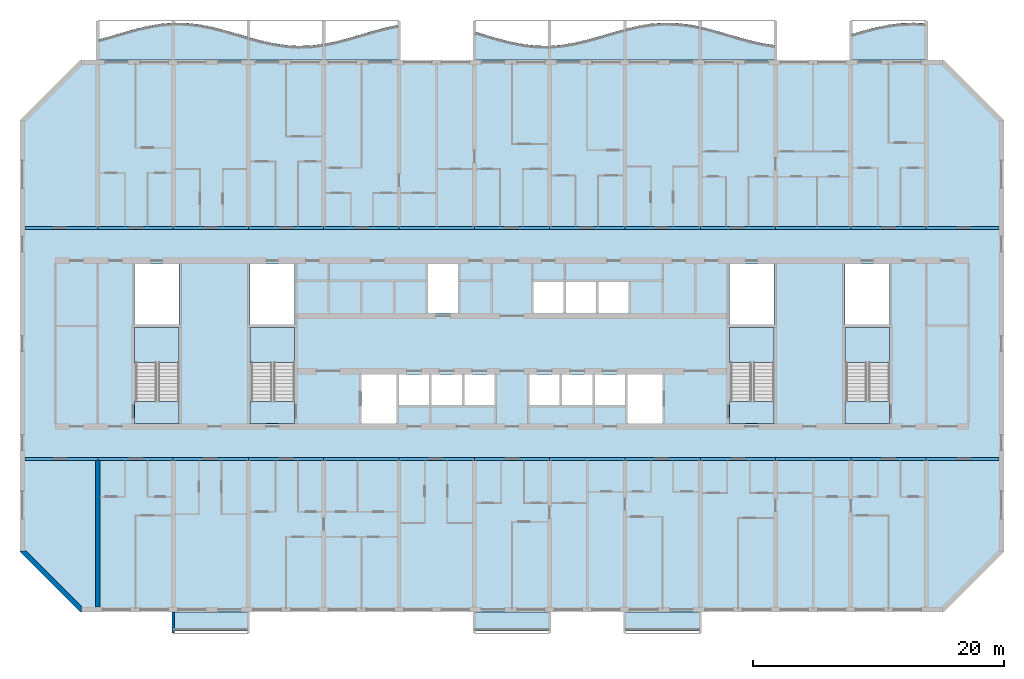
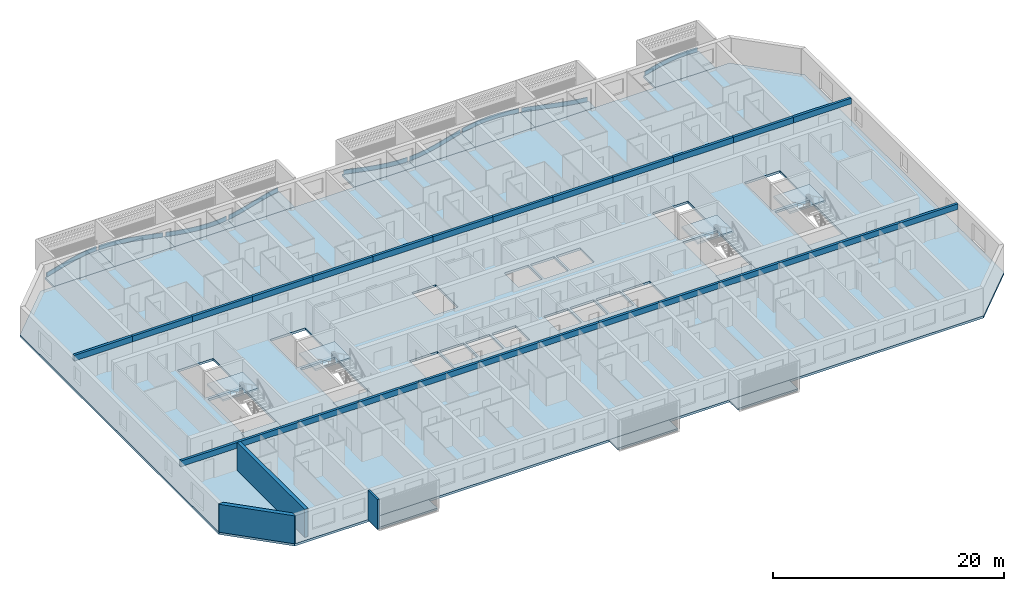
# One storey, part 1 of 24: 26 beams, 21 slabs, 9 plates, 3 walls, 4 elements without a shape of their own.
"""IFC4 building model written with IfcOpenShell, lengths in metres."""

from ifc_helpers import new_model, si_unit, direction, frame, frame_2d, origin, origin_2d, place, context, subcontext, project, spatial, polyline, rectangle, outline, extrude, source, transform, mapped, material, layer, layer_set, material_profile, profile_set, type_object, element, aggregate, save


model = new_model("IFC4")

# Units and contexts
model_context = context("Model", 3, precision=1e-05, world=origin(), true_north=direction((0.0, 1.0)))
body_context = subcontext(model_context, "Body", "Model", "MODEL_VIEW")
ifc_project = project(units=[si_unit("LENGTHUNIT", "METRE"), si_unit("AREAUNIT", "SQUARE_METRE"), si_unit("VOLUMEUNIT", "CUBIC_METRE"), si_unit("PLANEANGLEUNIT", "RADIAN"), si_unit("MASSUNIT", "GRAM", prefix="KILO")], contexts=[model_context])

# Site, building, storey
site_placement = place(None, origin())
site = spatial("IfcSite", under=ifc_project, at=site_placement, CompositionType="ELEMENT")
building_placement = place(site_placement, origin())
building = spatial("IfcBuilding", under=site, at=building_placement, Name="Poui Terraces", CompositionType="ELEMENT")
storey_placement = place(building_placement, frame((0.0, 0.0, 112.5)))
storey = spatial("IfcBuildingStorey", under=building, at=storey_placement, Name="L31", CompositionType="ELEMENT", Elevation=112.5)

# Beams
ifc_material_1 = material(Name="Concrete 65 MPa", Category="concrete")
ifc_material_profile = material_profile(ifc_material_1, rectangle(XDim=0.25, YDim=0.60009765625, at=origin_2d()), Name="RC 250x600")
ifc_profile_set = profile_set([ifc_material_profile], Name="Concrete 65 MPa")
beam_type = type_object("IfcBeamType", Name="COUPLING BEAM 250x600 65MPa", PredefinedType="BEAM", material=ifc_profile_set)
shared_shape_1 = source(origin(), body_context, "Body", "SweptSolid", [
    extrude(rectangle(XDim=0.25, YDim=0.60009765625, at=origin_2d()), origin(), (0.0, 0.0, 1.0), 5.800048828125),
])
for number, where, z_axis, x_axis, name in (
    (1, (12.199951171875, 12.0, 2.64990234375), (1.0, 0.0, 0.0), (0.0, 1.0, 0.0), "COUPLING BEAM LINE B BAY 1"),
    (2, (84.0, 12.0, 2.64990234375), (1.0, 0.0, 0.0), (0.0, 1.0, 0.0), "COUPLING BEAM LINE B BAY 13"),
    (3, (12.199951171875, 30.39990234375, 2.64990234375), (1.0, 0.0, 0.0), (0.0, 1.0, 0.0), "COUPLING BEAM LINE E BAY 1"),
    (4, (84.0, 30.39990234375, 2.64990234375), (1.0, 0.0, 0.0), (0.0, 1.0, 0.0), "COUPLING BEAM LINE E BAY 13"),
):
    element("IfcBeam", number, at=place(storey_placement, frame(where, z_axis=z_axis, x_axis=x_axis)), inside=storey, type_object=beam_type, Name=name, PredefinedType="BEAM", context=body_context, shape_type="MappedRepresentation", body=[
        mapped(shared_shape_1, transform((0.0, 0.0, 0.0))),
    ])
shared_shape_2 = source(origin(), body_context, "Body", "SweptSolid", [
    extrude(rectangle(XDim=0.25, YDim=0.60009765625, at=origin_2d()), origin(), (0.0, 0.0, 1.0), 6.0),
])
for number, where, z_axis, x_axis, name in (
    (5, (18.0, 12.0, 2.64990234375), (1.0, 0.0, 0.0), (0.0, 1.0, 0.0), "COUPLING BEAM LINE B BAY 2"),
    (6, (24.0, 12.0, 2.64990234375), (1.0, 0.0, 0.0), (0.0, 1.0, 0.0), "COUPLING BEAM LINE B BAY 3"),
    (7, (30.0, 12.0, 2.64990234375), (1.0, 0.0, 0.0), (0.0, 1.0, 0.0), "COUPLING BEAM LINE B BAY 4"),
    (8, (36.0, 12.0, 2.64990234375), (1.0, 0.0, 0.0), (0.0, 1.0, 0.0), "COUPLING BEAM LINE B BAY 5"),
    (9, (42.0, 12.0, 2.64990234375), (1.0, 0.0, 0.0), (0.0, 1.0, 0.0), "COUPLING BEAM LINE B BAY 6"),
    (10, (48.0, 12.0, 2.64990234375), (1.0, 0.0, 0.0), (0.0, 1.0, 0.0), "COUPLING BEAM LINE B BAY 7"),
    (11, (54.0, 12.0, 2.64990234375), (1.0, 0.0, 0.0), (0.0, 1.0, 0.0), "COUPLING BEAM LINE B BAY 8"),
    (12, (60.0, 12.0, 2.64990234375), (1.0, 0.0, 0.0), (0.0, 1.0, 0.0), "COUPLING BEAM LINE B BAY 9"),
    (13, (66.0, 12.0, 2.64990234375), (1.0, 0.0, 0.0), (0.0, 1.0, 0.0), "COUPLING BEAM LINE B BAY 10"),
    (14, (72.0, 12.0, 2.64990234375), (1.0, 0.0, 0.0), (0.0, 1.0, 0.0), "COUPLING BEAM LINE B BAY 11"),
    (15, (78.0, 12.0, 2.64990234375), (1.0, 0.0, 0.0), (0.0, 1.0, 0.0), "COUPLING BEAM LINE B BAY 12"),
    (16, (18.0, 30.39990234375, 2.64990234375), (1.0, 0.0, 0.0), (0.0, 1.0, 0.0), "COUPLING BEAM LINE E BAY 2"),
    (17, (24.0, 30.39990234375, 2.64990234375), (1.0, 0.0, 0.0), (0.0, 1.0, 0.0), "COUPLING BEAM LINE E BAY 3"),
    (18, (30.0, 30.39990234375, 2.64990234375), (1.0, 0.0, 0.0), (0.0, 1.0, 0.0), "COUPLING BEAM LINE E BAY 4"),
    (19, (36.0, 30.39990234375, 2.64990234375), (1.0, 0.0, 0.0), (0.0, 1.0, 0.0), "COUPLING BEAM LINE E BAY 5"),
    (20, (42.0, 30.39990234375, 2.64990234375), (1.0, 0.0, 0.0), (0.0, 1.0, 0.0), "COUPLING BEAM LINE E BAY 6"),
    (21, (48.0, 30.39990234375, 2.64990234375), (1.0, 0.0, 0.0), (0.0, 1.0, 0.0), "COUPLING BEAM LINE E BAY 7"),
    (22, (54.0, 30.39990234375, 2.64990234375), (1.0, 0.0, 0.0), (0.0, 1.0, 0.0), "COUPLING BEAM LINE E BAY 8"),
    (23, (60.0, 30.39990234375, 2.64990234375), (1.0, 0.0, 0.0), (0.0, 1.0, 0.0), "COUPLING BEAM LINE E BAY 9"),
    (24, (66.0, 30.39990234375, 2.64990234375), (1.0, 0.0, 0.0), (0.0, 1.0, 0.0), "COUPLING BEAM LINE E BAY 10"),
    (25, (72.0, 30.39990234375, 2.64990234375), (1.0, 0.0, 0.0), (0.0, 1.0, 0.0), "COUPLING BEAM LINE E BAY 11"),
    (26, (78.0, 30.39990234375, 2.64990234375), (1.0, 0.0, 0.0), (0.0, 1.0, 0.0), "COUPLING BEAM LINE E BAY 12"),
):
    element("IfcBeam", number, at=place(storey_placement, frame(where, z_axis=z_axis, x_axis=x_axis)), inside=storey, type_object=beam_type, Name=name, PredefinedType="BEAM", context=body_context, shape_type="MappedRepresentation", body=[
        mapped(shared_shape_2, transform((0.0, 0.0, 0.0))),
    ])

# Slabs
ifc_material_2 = material(Name="Precast concrete 40 MPa", Category="concrete")
ifc_layer_1 = layer(ifc_material_2, 0.199951171875)
ifc_layer_set_1 = layer_set([ifc_layer_1], Name="Precast concrete 40 MPa")
slab_type_1 = type_object("IfcSlabType", Name="BALCONY SLAB 200", PredefinedType="FLOOR", material=ifc_layer_set_1)
slab_1_placement = place(storey_placement, frame((0.0, 0.0, -0.2001953125)))
element("IfcSlab", 27, at=slab_1_placement, inside=storey, type_object=slab_type_1, Name="BALCONY SLAB", PredefinedType="FLOOR", context=body_context, shape_type="SweptSolid", body=[
    extrude(outline(polyline([(18.0, 43.800048828125), (24.0, 43.800048828125), (24.0, 46.743408203125), (23.0, 46.66064453125), (22.0, 46.4921875), (21.0, 46.2548828125), (20.0, 45.973388671875), (19.0, 45.676513671875), (18.0, 45.39501953125), (18.0, 43.800048828125)])), origin(), (0.0, 0.0, 1.0), 0.2001953125),
])
slab_2_placement = place(storey_placement, frame((0.0, 0.0, -0.2001953125)))
element("IfcSlab", 28, at=slab_2_placement, inside=storey, type_object=slab_type_1, Name="BALCONY SLAB", PredefinedType="FLOOR", context=body_context, shape_type="SweptSolid", body=[
    extrude(outline(polyline([(24.0, 43.800048828125), (30.0, 43.800048828125), (30.0, 45.603515625), (29.0, 45.8994140625), (28.0, 46.1875), (27.0, 46.4384765625), (26.0, 46.626220703125), (25.0, 46.731201171875), (24.0, 46.743408203125), (24.0, 43.800048828125)])), origin(), (0.0, 0.0, 1.0), 0.2001953125),
])
slab_3_placement = place(storey_placement, frame((0.0, 0.0, -0.2001953125)))
element("IfcSlab", 29, at=slab_3_placement, inside=storey, type_object=slab_type_1, Name="BALCONY SLAB", PredefinedType="FLOOR", context=body_context, shape_type="SweptSolid", body=[
    extrude(outline(polyline([(30.0, 43.800048828125), (36.0, 43.800048828125), (36.0, 45.063720703125), (35.0, 44.9365234375), (34.0, 44.90087890625), (33.0, 44.960205078125), (32.0, 45.1083984375), (31.0, 45.33056640625), (30.0, 45.603515625), (30.0, 43.800048828125)])), origin(), (0.0, 0.0, 1.0), 0.2001953125),
])
slab_4_placement = place(storey_placement, frame((0.0, 0.0, -0.2001953125)))
element("IfcSlab", 30, at=slab_4_placement, inside=storey, type_object=slab_type_1, Name="BALCONY SLAB", PredefinedType="FLOOR", context=body_context, shape_type="SweptSolid", body=[
    extrude(outline(polyline([(36.0, 43.800048828125), (42.0, 43.800048828125), (42.0, 46.586181640625), (41.0, 46.380615234375), (40.0, 46.117919921875), (39.0, 45.824951171875), (38.0, 45.531982421875), (37.0, 45.269287109375), (36.0, 45.063720703125), (36.0, 43.800048828125)])), origin(), (0.0, 0.0, 1.0), 0.2001953125),
])
slab_5_placement = place(storey_placement, frame((0.0, 0.0, -0.2001953125)))
element("IfcSlab", 31, at=slab_5_placement, inside=storey, type_object=slab_type_1, Name="BALCONY SLAB", PredefinedType="FLOOR", context=body_context, shape_type="SweptSolid", body=[
    extrude(outline(polyline([(48.0, 43.800048828125), (54.0, 43.800048828125), (54.0, 44.90673828125), (53.0, 44.918701171875), (52.0, 45.02392578125), (51.0, 45.211669921875), (50.0, 45.46240234375), (49.0, 45.75048828125), (48.0, 46.04638671875), (48.0, 43.800048828125)])), origin(), (0.0, 0.0, 1.0), 0.2001953125),
])
slab_6_placement = place(storey_placement, frame((0.0, 0.0, -0.2001953125)))
element("IfcSlab", 32, at=slab_6_placement, inside=storey, type_object=slab_type_1, Name="BALCONY SLAB", PredefinedType="FLOOR", context=body_context, shape_type="SweptSolid", body=[
    extrude(outline(polyline([(54.0, 43.800048828125), (60.0, 43.800048828125), (60.0, 46.2548828125), (59.0, 45.973388671875), (58.0, 45.676513671875), (57.0, 45.39501953125), (56.0, 45.157958984375), (55.0, 44.9892578125), (54.0, 44.90673828125), (54.0, 43.800048828125)])), origin(), (0.0, 0.0, 1.0), 0.2001953125),
])
slab_7_placement = place(storey_placement, frame((0.0, 0.0, -0.2001953125)))
element("IfcSlab", 33, at=slab_7_placement, inside=storey, type_object=slab_type_1, Name="BALCONY SLAB", PredefinedType="FLOOR", context=body_context, shape_type="SweptSolid", body=[
    extrude(outline(polyline([(60.0, 43.800048828125), (66.0, 43.800048828125), (66.0, 46.4384765625), (65.0, 46.626220703125), (64.0, 46.731201171875), (63.0, 46.743408203125), (62.0, 46.66064453125), (61.0, 46.4921875), (60.0, 46.2548828125), (60.0, 43.800048828125)])), origin(), (0.0, 0.0, 1.0), 0.2001953125),
])
slab_8_placement = place(storey_placement, frame((0.0, 0.0, -0.2001953125)))
element("IfcSlab", 34, at=slab_8_placement, inside=storey, type_object=slab_type_1, Name="BALCONY SLAB", PredefinedType="FLOOR", context=body_context, shape_type="SweptSolid", body=[
    extrude(outline(polyline([(66.0, 43.800048828125), (72.0, 43.800048828125), (72.0, 44.960205078125), (71.0, 45.1083984375), (70.0, 45.33056640625), (69.0, 45.603515625), (68.0, 45.8994140625), (67.0, 46.1875), (66.0, 46.4384765625), (66.0, 43.800048828125)])), origin(), (0.0, 0.0, 1.0), 0.2001953125),
])
slab_9_placement = place(storey_placement, frame((0.0, 0.0, -0.2001953125)))
element("IfcSlab", 35, at=slab_9_placement, inside=storey, type_object=slab_type_1, Name="BALCONY SLAB", PredefinedType="FLOOR", context=body_context, shape_type="SweptSolid", body=[
    extrude(outline(polyline([(78.0, 43.800048828125), (84.0, 43.800048828125), (84.0, 46.68994140625), (83.0, 46.749267578125), (82.0, 46.71337890625), (81.0, 46.586181640625), (80.0, 46.380615234375), (79.0, 46.117919921875), (78.0, 45.824951171875), (78.0, 43.800048828125)])), origin(), (0.0, 0.0, 1.0), 0.2001953125),
])

# Stair, slabs
stair_type = type_object("IfcStairType", Name="EXIT STAIR 1650 65 MPA", PredefinedType="HALF_TURN_STAIR", material=ifc_material_1)
stair_1_placement = place(storey_placement, origin())
stair_1 = element("IfcStair", 36, at=stair_1_placement, inside=storey, type_object=stair_type, Name="L31 CORE STAIR EAST", PredefinedType="HALF_TURN_STAIR")
ifc_layer_2 = layer(ifc_material_1, 0.199951171875)
ifc_layer_set_2 = layer_set([ifc_layer_2], Name="Concrete 65 MPa")
slab_type_2 = type_object("IfcSlabType", Name="STAIR LANDING 200 65 MPA", PredefinedType="LANDING", material=ifc_layer_set_2)
slab_10_placement = place(storey_placement, frame((0.0, 0.0, 1.449951171875)))
slab_10 = element("IfcSlab", 37, at=slab_10_placement, type_object=slab_type_2, Name="ST-CE landing 1", PredefinedType="LANDING", context=body_context, shape_type="SweptSolid", body=[
    extrude(outline(polyline([(68.324951171875, 19.679931640625), (71.875, 19.679931640625), (71.875, 22.47509765625), (68.324951171875, 22.47509765625), (68.324951171875, 19.679931640625)])), origin(), (0.0, 0.0, 1.0), 0.199951171875),
])
slab_11_placement = place(storey_placement, frame((0.0, 0.0, -0.2001953125)))
slab_11 = element("IfcSlab", 38, at=slab_11_placement, type_object=slab_type_2, Name="ST-CE landing 2", PredefinedType="LANDING", context=body_context, shape_type="SweptSolid", body=[
    extrude(outline(polyline([(68.324951171875, 14.85009765625), (71.875, 14.85009765625), (71.875, 16.60009765625), (68.324951171875, 16.60009765625), (68.324951171875, 14.85009765625)])), origin(), (0.0, 0.0, 1.0), 0.2001953125),
])
aggregate(stair_1, [slab_10, slab_11])

stair_2_placement = place(storey_placement, origin())
stair_2 = element("IfcStair", 39, at=stair_2_placement, inside=storey, type_object=stair_type, Name="L31 CORE STAIR WEST", PredefinedType="HALF_TURN_STAIR")
slab_12_placement = place(storey_placement, frame((0.0, 0.0, 1.449951171875)))
slab_12 = element("IfcSlab", 40, at=slab_12_placement, type_object=slab_type_2, Name="ST-CW landing 1", PredefinedType="LANDING", context=body_context, shape_type="SweptSolid", body=[
    extrude(outline(polyline([(30.125, 19.679931640625), (33.675048828125, 19.679931640625), (33.675048828125, 22.47509765625), (30.125, 22.47509765625), (30.125, 19.679931640625)])), origin(), (0.0, 0.0, 1.0), 0.199951171875),
])
slab_13_placement = place(storey_placement, frame((0.0, 0.0, -0.2001953125)))
slab_13 = element("IfcSlab", 41, at=slab_13_placement, type_object=slab_type_2, Name="ST-CW landing 2", PredefinedType="LANDING", context=body_context, shape_type="SweptSolid", body=[
    extrude(outline(polyline([(30.125, 14.85009765625), (33.675048828125, 14.85009765625), (33.675048828125, 16.60009765625), (30.125, 16.60009765625), (30.125, 14.85009765625)])), origin(), (0.0, 0.0, 1.0), 0.2001953125),
])
aggregate(stair_2, [slab_12, slab_13])

stair_3_placement = place(storey_placement, origin())
stair_3 = element("IfcStair", 42, at=stair_3_placement, inside=storey, type_object=stair_type, Name="L31 TIP STAIR EAST", PredefinedType="HALF_TURN_STAIR")
slab_14_placement = place(storey_placement, frame((0.0, 0.0, 1.449951171875)))
slab_14 = element("IfcSlab", 43, at=slab_14_placement, type_object=slab_type_2, Name="ST-E landing 1", PredefinedType="LANDING", context=body_context, shape_type="SweptSolid", body=[
    extrude(outline(polyline([(77.52490234375, 19.679931640625), (81.074951171875, 19.679931640625), (81.074951171875, 22.47509765625), (77.52490234375, 22.47509765625), (77.52490234375, 19.679931640625)])), origin(), (0.0, 0.0, 1.0), 0.199951171875),
])
slab_15_placement = place(storey_placement, frame((0.0, 0.0, -0.2001953125)))
slab_15 = element("IfcSlab", 44, at=slab_15_placement, type_object=slab_type_2, Name="ST-E landing 2", PredefinedType="LANDING", context=body_context, shape_type="SweptSolid", body=[
    extrude(outline(polyline([(77.52490234375, 14.85009765625), (81.074951171875, 14.85009765625), (81.074951171875, 16.60009765625), (77.52490234375, 16.60009765625), (77.52490234375, 14.85009765625)])), origin(), (0.0, 0.0, 1.0), 0.2001953125),
])
aggregate(stair_3, [slab_14, slab_15])

stair_4_placement = place(storey_placement, origin())
stair_4 = element("IfcStair", 45, at=stair_4_placement, inside=storey, type_object=stair_type, Name="L31 TIP STAIR WEST", PredefinedType="HALF_TURN_STAIR")
slab_16_placement = place(storey_placement, frame((0.0, 0.0, 1.449951171875)))
slab_16 = element("IfcSlab", 46, at=slab_16_placement, type_object=slab_type_2, Name="ST-W landing 1", PredefinedType="LANDING", context=body_context, shape_type="SweptSolid", body=[
    extrude(outline(polyline([(20.925048828125, 19.679931640625), (24.47509765625, 19.679931640625), (24.47509765625, 22.47509765625), (20.925048828125, 22.47509765625), (20.925048828125, 19.679931640625)])), origin(), (0.0, 0.0, 1.0), 0.199951171875),
])
slab_17_placement = place(storey_placement, frame((0.0, 0.0, -0.2001953125)))
slab_17 = element("IfcSlab", 47, at=slab_17_placement, type_object=slab_type_2, Name="ST-W landing 2", PredefinedType="LANDING", context=body_context, shape_type="SweptSolid", body=[
    extrude(outline(polyline([(20.925048828125, 14.85009765625), (24.47509765625, 14.85009765625), (24.47509765625, 16.60009765625), (20.925048828125, 16.60009765625), (20.925048828125, 14.85009765625)])), origin(), (0.0, 0.0, 1.0), 0.2001953125),
])
aggregate(stair_4, [slab_16, slab_17])

# Plates
ifc_layer_3 = layer(ifc_material_2, 0.080078125)
ifc_layer_set_3 = layer_set([ifc_layer_3], Name="Precast concrete 40 MPa")
plate_type = type_object("IfcPlateType", Name="SUNSHADE UPSTAND 80", PredefinedType="SHEET", material=ifc_layer_set_3)
plate_1_placement = place(storey_placement, origin())
element("IfcPlate", 48, at=plate_1_placement, inside=storey, type_object=plate_type, Name="SUNSHADE UPSTAND", PredefinedType="SHEET", context=body_context, shape_type="SweptSolid", body=[
    extrude(outline(polyline([(18.989013671875, 45.669921875), (18.114013671875, 45.421875), (18.135986328125, 45.344970703125), (19.010986328125, 45.59326171875), (20.010986328125, 45.889892578125), (21.010009765625, 46.171142578125), (22.008056640625, 46.407958984375), (23.005126953125, 46.575927734375), (23.87841796875, 46.6533203125), (23.87158203125, 46.732666015625), (23.833251953125, 46.7294921875), (22.994873046875, 46.655517578125), (21.991943359375, 46.486328125), (20.989990234375, 46.24853515625), (19.989013671875, 45.966796875), (18.989013671875, 45.669921875)])), origin(), (0.0, 0.0, 1.0), 0.449951171875),
])
plate_2_placement = place(storey_placement, origin())
element("IfcPlate", 49, at=plate_2_placement, inside=storey, type_object=plate_type, Name="SUNSHADE UPSTAND", PredefinedType="SHEET", context=body_context, shape_type="SweptSolid", body=[
    extrude(outline(polyline([(25.00244140625, 46.726318359375), (24.166015625, 46.7412109375), (24.125732421875, 46.74169921875), (24.124267578125, 46.662109375), (24.99755859375, 46.646240234375), (25.994140625, 46.54150390625), (26.991455078125, 46.354248046875), (27.989501953125, 46.10400390625), (28.98876953125, 45.81591796875), (29.863525390625, 45.556640625), (29.886474609375, 45.63330078125), (29.01123046875, 45.892822265625), (28.010498046875, 46.18115234375), (27.008544921875, 46.4326171875), (26.005859375, 46.62060546875), (25.00244140625, 46.726318359375)])), origin(), (0.0, 0.0, 1.0), 0.449951171875),
])
plate_3_placement = place(storey_placement, origin())
element("IfcPlate", 50, at=plate_3_placement, inside=storey, type_object=plate_type, Name="SUNSHADE UPSTAND", PredefinedType="SHEET", context=body_context, shape_type="SweptSolid", body=[
    extrude(outline(polyline([(31.009521484375, 45.324462890625), (30.135498046875, 45.561279296875), (30.114501953125, 45.48388671875), (30.990478515625, 45.246826171875), (31.99267578125, 45.024169921875), (32.995849609375, 44.875244140625), (33.99951171875, 44.815673828125), (35.003173828125, 44.8515625), (35.8798828125, 44.95849609375), (35.8701171875, 45.037841796875), (34.996826171875, 44.931396484375), (34.00048828125, 44.895751953125), (33.004150390625, 44.954833984375), (32.00732421875, 45.102783203125), (31.009521484375, 45.324462890625)])), origin(), (0.0, 0.0, 1.0), 0.449951171875),
])
plate_4_placement = place(storey_placement, origin())
element("IfcPlate", 51, at=plate_4_placement, inside=storey, type_object=plate_type, Name="SUNSHADE UPSTAND", PredefinedType="SHEET", context=body_context, shape_type="SweptSolid", body=[
    extrude(outline(polyline([(36.99072265625, 45.26318359375), (36.11669921875, 45.07958984375), (36.13330078125, 45.00146484375), (37.00927734375, 45.185302734375), (38.0107421875, 45.448486328125), (39.01123046875, 45.74169921875), (40.0107421875, 46.034423828125), (41.00927734375, 46.296630859375), (41.88330078125, 46.480224609375), (41.86669921875, 46.55859375), (40.99072265625, 46.37451171875), (39.9892578125, 46.111572265625), (38.98876953125, 45.818359375), (37.9892578125, 45.525634765625), (36.99072265625, 45.26318359375)])), origin(), (0.0, 0.0, 1.0), 0.449951171875),
])
plate_5_placement = place(storey_placement, origin())
element("IfcPlate", 52, at=plate_5_placement, inside=storey, type_object=plate_type, Name="SUNSHADE UPSTAND", PredefinedType="SHEET", context=body_context, shape_type="SweptSolid", body=[
    extrude(outline(polyline([(49.01123046875, 45.743896484375), (48.136474609375, 46.00341796875), (48.113525390625, 45.9267578125), (48.98876953125, 45.667236328125), (49.989501953125, 45.37890625), (50.991455078125, 45.12744140625), (51.994140625, 44.939208984375), (52.99755859375, 44.833740234375), (53.874267578125, 44.818115234375), (53.875732421875, 44.89794921875), (53.00244140625, 44.913818359375), (52.005859375, 45.0185546875), (51.008544921875, 45.205810546875), (50.010498046875, 45.4560546875), (49.01123046875, 45.743896484375)])), origin(), (0.0, 0.0, 1.0), 0.449951171875),
])
plate_6_placement = place(storey_placement, origin())
element("IfcPlate", 53, at=plate_6_placement, inside=storey, type_object=plate_type, Name="SUNSHADE UPSTAND", PredefinedType="SHEET", context=body_context, shape_type="SweptSolid", body=[
    extrude(outline(polyline([(54.994873046875, 44.98388671875), (54.12158203125, 44.90673828125), (54.12841796875, 44.8271484375), (55.005126953125, 44.904541015625), (56.008056640625, 45.07373046875), (57.010009765625, 45.311279296875), (58.010986328125, 45.59326171875), (59.010986328125, 45.889892578125), (59.885986328125, 46.13818359375), (59.864013671875, 46.215087890625), (58.989013671875, 45.966796875), (57.989013671875, 45.669921875), (56.989990234375, 45.388916015625), (55.991943359375, 45.152099609375), (54.994873046875, 44.98388671875)])), origin(), (0.0, 0.0, 1.0), 0.449951171875),
])
plate_7_placement = place(storey_placement, origin())
element("IfcPlate", 54, at=plate_7_placement, inside=storey, type_object=plate_type, Name="SUNSHADE UPSTAND", PredefinedType="SHEET", context=body_context, shape_type="SweptSolid", body=[
    extrude(outline(polyline([(60.9921875, 46.486328125), (60.115966796875, 46.281494140625), (60.134033203125, 46.20361328125), (61.0078125, 46.407958984375), (62.0048828125, 46.575927734375), (63.00146484375, 46.658203125), (63.997802734375, 46.646240234375), (64.994384765625, 46.54150390625), (65.867919921875, 46.38134765625), (65.882080078125, 46.460205078125), (65.005615234375, 46.62060546875), (64.002197265625, 46.726318359375), (62.99853515625, 46.73828125), (61.9951171875, 46.655517578125), (60.9921875, 46.486328125)])), origin(), (0.0, 0.0, 1.0), 0.449951171875),
])
plate_8_placement = place(storey_placement, origin())
element("IfcPlate", 55, at=plate_8_placement, inside=storey, type_object=plate_type, Name="SUNSHADE UPSTAND", PredefinedType="SHEET", context=body_context, shape_type="SweptSolid", body=[
    extrude(outline(polyline([(67.010498046875, 46.18115234375), (66.135009765625, 46.40380859375), (66.114990234375, 46.326171875), (66.989501953125, 46.10400390625), (67.98876953125, 45.81591796875), (68.989013671875, 45.520263671875), (69.990478515625, 45.246826171875), (70.99267578125, 45.024169921875), (71.868896484375, 44.889404296875), (71.881103515625, 44.968505859375), (71.00732421875, 45.102783203125), (70.009521484375, 45.324462890625), (69.010986328125, 45.59716796875), (68.01123046875, 45.892822265625), (67.010498046875, 46.18115234375)])), origin(), (0.0, 0.0, 1.0), 0.449951171875),
])
plate_9_placement = place(storey_placement, origin())
element("IfcPlate", 56, at=plate_9_placement, inside=storey, type_object=plate_type, Name="SUNSHADE UPSTAND", PredefinedType="SHEET", context=body_context, shape_type="SweptSolid", body=[
    extrude(outline(polyline([(78.9892578125, 46.111572265625), (78.11376953125, 45.855712890625), (78.13623046875, 45.77880859375), (79.0107421875, 46.034423828125), (80.009033203125, 46.296630859375), (81.006591796875, 46.501708984375), (82.003173828125, 46.628662109375), (82.99951171875, 46.664306640625), (83.872802734375, 46.617431640625), (83.877197265625, 46.697265625), (83.850341796875, 46.69873046875), (83.00048828125, 46.744384765625), (81.996826171875, 46.70849609375), (80.993408203125, 46.580810546875), (79.990966796875, 46.37451171875), (78.9892578125, 46.111572265625)])), origin(), (0.0, 0.0, 1.0), 0.449951171875),
])

# Slabs
ifc_material_3 = material(Name="Concrete 40 MPa", Category="concrete")
ifc_layer_4 = layer(ifc_material_3, 0.239990234375)
ifc_layer_set_4 = layer_set([ifc_layer_4], Name="Concrete 40 MPa")
slab_type_3 = type_object("IfcSlabType", Name="FLOOR SLAB 240", PredefinedType="FLOOR", material=ifc_layer_set_4)
shared_shape_3 = source(origin(), body_context, "Body", "SweptSolid", [
    extrude(outline(polyline([(0.0, 0.0), (4.800048828125, -4.800048828125), (73.599853515625, -4.800048828125), (78.39990234375, 0.0), (78.39990234375, 34.39990234375), (73.599853515625, 39.199951171875), (4.800048828125, 39.199951171875), (0.0, 34.39990234375), (0.0, 0.0)]), holes=[polyline([(27.199951171875, 10.25), (27.199951171875, 14.14990234375), (30.0, 14.14990234375), (30.0, 10.25), (27.199951171875, 10.25)]), polyline([(30.199951171875, 11.699951171875), (30.199951171875, 14.14990234375), (32.599853515625, 14.14990234375), (32.599853515625, 11.699951171875), (30.199951171875, 11.699951171875)]), polyline([(32.800048828125, 11.699951171875), (32.800048828125, 14.14990234375), (35.199951171875, 14.14990234375), (35.199951171875, 11.699951171875), (32.800048828125, 11.699951171875)]), polyline([(35.39990234375, 14.14990234375), (37.800048828125, 14.14990234375), (37.800048828125, 11.699951171875), (35.39990234375, 11.699951171875), (35.39990234375, 14.14990234375)]), polyline([(40.599853515625, 14.14990234375), (43.0, 14.14990234375), (43.0, 11.699951171875), (40.599853515625, 11.699951171875), (40.599853515625, 14.14990234375)]), polyline([(9.224853515625, 17.849853515625), (12.675048828125, 17.849853515625), (12.675048828125, 12.0), (12.675048828125, 10.25), (9.125, 10.25), (9.125, 12.0), (9.224853515625, 12.0), (9.224853515625, 17.849853515625)]), polyline([(18.425048828125, 17.849853515625), (21.875, 17.849853515625), (21.875, 12.0), (21.875, 10.25), (18.324951171875, 10.25), (18.324951171875, 12.0), (18.425048828125, 12.0), (18.425048828125, 17.849853515625)]), polyline([(9.125, 18.125), (9.125, 22.949951171875), (12.675048828125, 22.949951171875), (12.675048828125, 18.125), (9.125, 18.125)]), polyline([(18.324951171875, 22.949951171875), (21.875, 22.949951171875), (21.875, 18.125), (18.324951171875, 18.125), (18.324951171875, 22.949951171875)]), polyline([(32.5, 22.949951171875), (34.89990234375, 22.949951171875), (34.89990234375, 19.0498046875), (32.5, 19.0498046875), (32.5, 22.949951171875)]), polyline([(48.39990234375, 10.25), (48.39990234375, 14.14990234375), (51.199951171875, 14.14990234375), (51.199951171875, 10.25), (48.39990234375, 10.25)]), polyline([(43.199951171875, 11.699951171875), (43.199951171875, 14.14990234375), (45.599853515625, 14.14990234375), (45.599853515625, 11.699951171875), (43.199951171875, 11.699951171875)]), polyline([(45.800048828125, 11.699951171875), (45.800048828125, 14.14990234375), (48.199951171875, 14.14990234375), (48.199951171875, 11.699951171875), (45.800048828125, 11.699951171875)]), polyline([(60.074951171875, 17.849853515625), (60.074951171875, 12.0), (60.074951171875, 10.25), (56.52490234375, 10.25), (56.52490234375, 12.0), (56.625, 12.0), (56.625, 17.849853515625), (60.074951171875, 17.849853515625)]), polyline([(69.27490234375, 17.849853515625), (69.27490234375, 12.0), (69.27490234375, 10.25), (65.724853515625, 10.25), (65.724853515625, 12.0), (65.824951171875, 12.0), (65.824951171875, 17.849853515625), (69.27490234375, 17.849853515625)]), polyline([(40.89990234375, 19.0498046875), (40.89990234375, 21.5), (43.300048828125, 21.5), (43.300048828125, 19.0498046875), (40.89990234375, 19.0498046875)]), polyline([(43.5, 19.0498046875), (43.5, 21.5), (45.89990234375, 21.5), (45.89990234375, 19.0498046875), (43.5, 19.0498046875)]), polyline([(46.099853515625, 19.0498046875), (46.099853515625, 21.5), (48.5, 21.5), (48.5, 19.0498046875), (46.099853515625, 19.0498046875)]), polyline([(56.52490234375, 22.949951171875), (60.074951171875, 22.949951171875), (60.074951171875, 18.125), (56.52490234375, 18.125), (56.52490234375, 22.949951171875)]), polyline([(65.724853515625, 22.949951171875), (69.27490234375, 22.949951171875), (69.27490234375, 18.125), (65.724853515625, 18.125), (65.724853515625, 22.949951171875)])]), origin(), (0.0, 0.0, 1.0), 0.240234375),
])
slab_18_placement = place(storey_placement, frame((11.800048828125, 4.60009765625, -0.240234375)))
element("IfcSlab", 57, at=slab_18_placement, inside=storey, type_object=slab_type_3, Name="FLOOR SLAB", PredefinedType="FLOOR", context=body_context, shape_type="MappedRepresentation", body=[
    mapped(shared_shape_3, transform((0.0, 0.0, 0.0))),
])
ifc_layer_5 = layer(ifc_material_2, 0.199951171875)
ifc_layer_set_5 = layer_set([ifc_layer_5], Name="Precast concrete 40 MPa")
slab_type_4 = type_object("IfcSlabType", Name="REAR BALCONY SLAB 200", PredefinedType="FLOOR", material=ifc_layer_set_5)
shared_shape_4 = source(origin(), body_context, "Body", "SweptSolid", [
    extrude(outline(polyline([(0.0, 0.0), (6.0, 0.0), (6.0, 1.5), (0.0, 1.5), (0.0, 0.0)])), origin(), (0.0, 0.0, 1.0), 0.2001953125),
])
for number, where, name in (
    (58, (24.0, -1.699951171875, -0.2001953125), "REAR BALCONY SLAB"),
    (59, (48.0, -1.699951171875, -0.2001953125), "REAR BALCONY SLAB"),
    (60, (60.0, -1.699951171875, -0.2001953125), "REAR BALCONY SLAB"),
):
    element("IfcSlab", number, at=place(storey_placement, frame(where)), inside=storey, type_object=slab_type_4, Name=name, PredefinedType="FLOOR", context=body_context, shape_type="MappedRepresentation", body=[
        mapped(shared_shape_4, transform((0.0, 0.0, 0.0))),
    ])

# Walls
ifc_layer_6 = layer(ifc_material_1, 0.35009765625)
ifc_layer_set_6 = layer_set([ifc_layer_6], Name="Concrete 65 MPa")
wall_type_1 = type_object("IfcWallType", Name="CROSS WALL 350 65MPa", PredefinedType="SHEAR", material=ifc_layer_set_6)
wall_1_placement = place(storey_placement, frame((18.0, 0.199951171875, 0.0), z_axis=(0.0, 0.0, 1.0), x_axis=(0.0, 1.0, 0.0)))
element("IfcWall", 61, at=wall_1_placement, inside=storey, type_object=wall_type_1, Name="CROSS WALL LINE 4 SOUTH", PredefinedType="SHEAR", context=body_context, shape_type="SweptSolid", body=[
    extrude(rectangle(XDim=11.675048828125, YDim=0.35009765625, at=frame_2d((5.83740234375, 0.0))), origin(), (0.0, 0.0, 1.0), 2.949951171875),
])
ifc_layer_7 = layer(ifc_material_2, 0.39990234375)
ifc_layer_set_7 = layer_set([ifc_layer_7], Name="Precast concrete 40 MPa")
wall_type_2 = type_object("IfcWallType", Name="TERRACOTTA CLAD CHAMFER WALL 400", PredefinedType="STANDARD", material=ifc_layer_set_7)
wall_2_placement = place(storey_placement, origin())
element("IfcWall", 62, at=wall_2_placement, inside=storey, type_object=wall_type_2, Name="CHAMFER WALL CH07", PredefinedType="STANDARD", context=body_context, shape_type="SweptSolid", body=[
    extrude(outline(polyline([(11.800048828125, 4.682861328125), (11.800048828125, 4.60009765625), (16.60009765625, -0.199951171875), (16.682861328125, -0.199951171875), (16.682861328125, 0.28271484375), (12.28271484375, 4.682861328125), (11.800048828125, 4.682861328125)])), origin(), (0.0, 0.0, 1.0), 2.949951171875),
])
ifc_layer_8 = layer(ifc_material_2, 0.199951171875)
ifc_layer_set_8 = layer_set([ifc_layer_8], Name="Precast concrete 40 MPa")
wall_type_3 = type_object("IfcWallType", Name="REAR FIN 200", PredefinedType="STANDARD", material=ifc_layer_set_8)
shared_shape_5 = source(origin(), body_context, "Body", "SweptSolid", [
    extrude(outline(polyline([(0.0, 0.0), (0.2001953125, 0.0), (0.2001953125, 1.650146484375), (0.0, 1.650146484375), (0.0, 0.0)])), origin(), (0.0, 0.0, 1.0), 3.10009765625),
])
wall_3_placement = place(storey_placement, frame((23.89990234375, -1.85009765625, 0.0)))
element("IfcWall", 63, at=wall_3_placement, inside=storey, type_object=wall_type_3, Name="REAR FIN", PredefinedType="STANDARD", context=body_context, shape_type="MappedRepresentation", body=[
    mapped(shared_shape_5, transform((0.0, 0.0, 0.0))),
])

save(model, "model.ifc")
